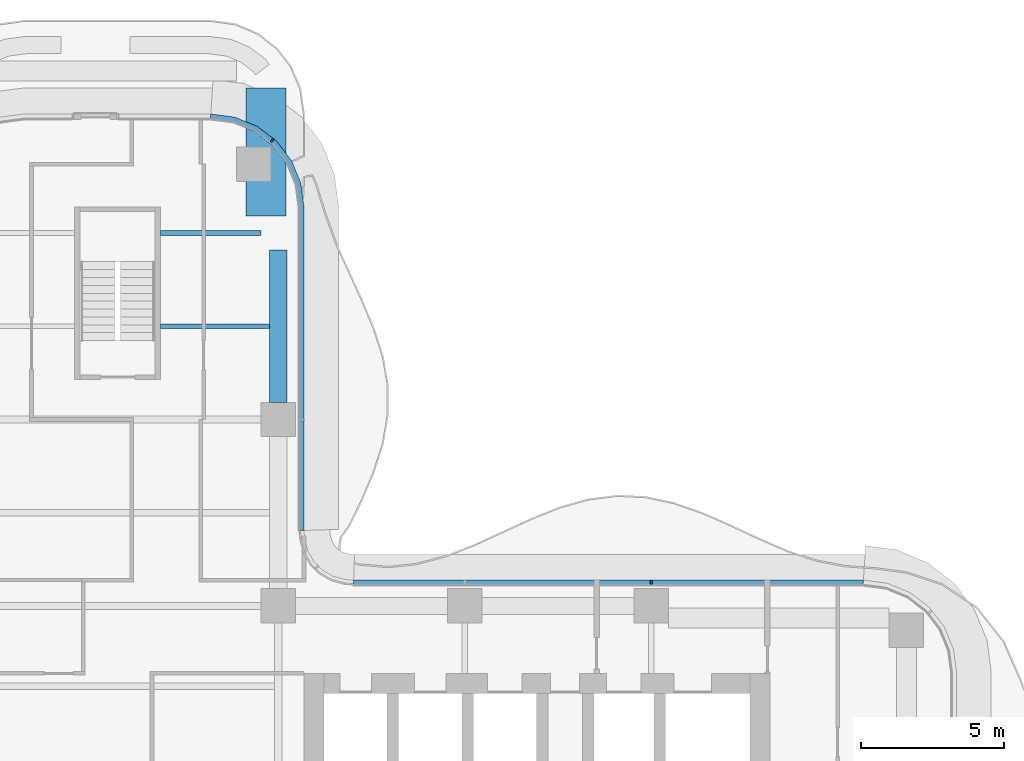
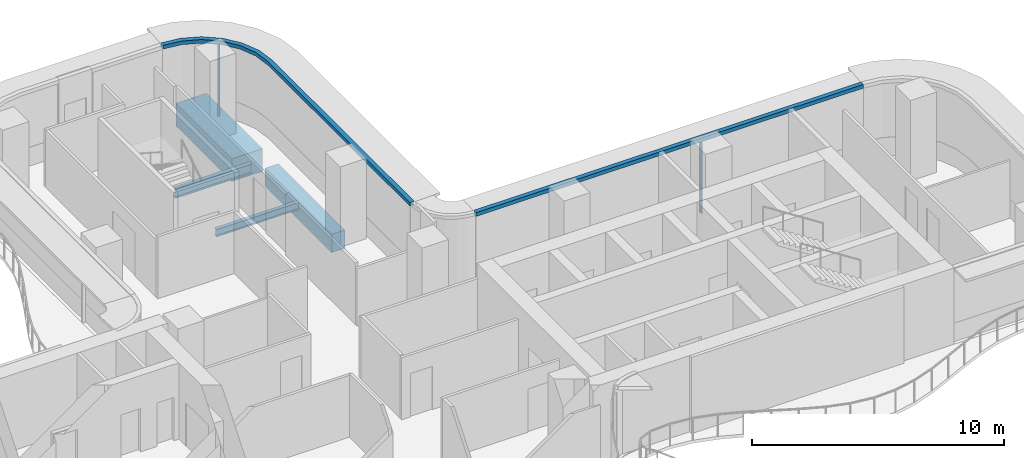
# One storey, part 8 of 17: 4 beams, 4 members, 2 elements without a shape of their own.
"""IFC4 building model written with IfcOpenShell, lengths in metres."""

from ifc_helpers import new_model, si_unit, direction, frame, origin, origin_2d, place, context, subcontext, project, spatial, polyline, rectangle, i_section, outline, extrude, source, transform, mapped, material, layer, layer_set, material_profile, profile_set, type_object, element, aggregate, save


model = new_model("IFC4")

# Units and contexts
model_context = context("Model", 3, precision=1e-05, world=origin(), true_north=direction((0.0, 1.0)))
body_context = subcontext(model_context, "Body", "Model", "MODEL_VIEW")
ifc_project = project(units=[si_unit("LENGTHUNIT", "METRE"), si_unit("AREAUNIT", "SQUARE_METRE"), si_unit("VOLUMEUNIT", "CUBIC_METRE"), si_unit("PLANEANGLEUNIT", "RADIAN"), si_unit("MASSUNIT", "GRAM", prefix="KILO")], contexts=[model_context])

# Site, building, storey
site_placement = place(None, origin())
site = spatial("IfcSite", under=ifc_project, at=site_placement, CompositionType="ELEMENT")
building_placement = place(site_placement, origin())
building = spatial("IfcBuilding", under=site, at=building_placement, Name="Trellis Farm Tower", CompositionType="ELEMENT")
storey_placement = place(building_placement, frame((0.0, 0.0, 185.39990234375)))
storey = spatial("IfcBuildingStorey", under=building, at=storey_placement, Name="L40", CompositionType="ELEMENT", Elevation=185.39990234375)

# Beams
ifc_material_1 = material(Name="Steel S355", Category="steel")
ifc_material_profile_1 = material_profile(ifc_material_1, i_section(OverallWidth=0.1904296875, OverallDepth=0.45703125, WebThickness=0.009033203125, FlangeThickness=0.014404296875, FilletRadius=0.01025390625, at=origin_2d()), Name="UB 457x191x74")
ifc_profile_set_1 = profile_set([ifc_material_profile_1], Name="Steel S355")
beam_type_1 = type_object("IfcBeamType", Name="UB 457x191x74", PredefinedType="BEAM", material=ifc_profile_set_1)
shared_shape_1 = source(origin(), body_context, "Body", "SweptSolid", [
    extrude(i_section(OverallWidth=0.1904296875, OverallDepth=0.45703125, WebThickness=0.009033203125, FlangeThickness=0.014404296875, FilletRadius=0.01025390625, at=origin_2d()), origin(), (0.0, 0.0, 1.0), 3.5),
])
beam_1_placement = place(storey_placement, frame((1.5, 18.60009765625, -0.428466796875), z_axis=(1.0, 0.0, 0.0), x_axis=(0.0, 1.0, 0.0)))
element("IfcBeam", 1, at=beam_1_placement, inside=storey, type_object=beam_type_1, Name="Girder", PredefinedType="BEAM", context=body_context, shape_type="MappedRepresentation", body=[
    mapped(shared_shape_1, transform((0.0, 0.0, 0.0))),
])
ifc_material_2 = material(Name="Concrete C60/75", Category="concrete")
ifc_material_profile_2 = material_profile(ifc_material_2, rectangle(XDim=0.60009765625, YDim=0.89990234375, at=origin_2d()), Name="RC spandrel beam 600x900 C60/75")
ifc_profile_set_2 = profile_set([ifc_material_profile_2], Name="Concrete C60/75")
beam_type_2 = type_object("IfcBeamType", Name="RC spandrel beam 600x900 C60/75", PredefinedType="SPANDREL", material=ifc_profile_set_2)
shared_shape_2 = source(origin(), body_context, "Body", "SweptSolid", [
    extrude(rectangle(XDim=0.60009765625, YDim=0.89990234375, at=origin_2d()), origin(), (0.0, 0.0, 1.0), 5.300048828125),
])
beam_2_placement = place(storey_placement, frame((5.60009765625, 12.699951171875, -0.64990234375), z_axis=(0.0, 1.0, 0.0), x_axis=(-1.0, 0.0, 0.0)))
element("IfcBeam", 2, at=beam_2_placement, inside=storey, type_object=beam_type_2, Name="Girder", PredefinedType="SPANDREL", context=body_context, shape_type="MappedRepresentation", body=[
    mapped(shared_shape_2, transform((0.0, 0.0, 0.0))),
])
ifc_material_3 = material(Name="Concrete C80/95", Category="concrete")
ifc_material_profile_3 = material_profile(ifc_material_3, rectangle(XDim=1.39990234375, YDim=1.10009765625, at=origin_2d()), Name="RC transfer beam 1400x1100 C80/95")
ifc_profile_set_3 = profile_set([ifc_material_profile_3], Name="Concrete C80/95")
beam_type_3 = type_object("IfcBeamType", Name="RC transfer beam 1400x1100 C80/95", PredefinedType="BEAM", material=ifc_profile_set_3)
shared_shape_3 = source(origin(), body_context, "Body", "SweptSolid", [
    extrude(rectangle(XDim=1.39990234375, YDim=1.10009765625, at=origin_2d()), origin(), (0.0, 0.0, 1.0), 4.449951171875),
])
beam_3_placement = place(storey_placement, frame((5.175048828125, 19.199951171875, -0.75), z_axis=(0.0, 1.0, 0.0), x_axis=(-1.0, 0.0, 0.0)))
element("IfcBeam", 3, at=beam_3_placement, inside=storey, type_object=beam_type_3, Name="Transfer girder", PredefinedType="BEAM", context=body_context, shape_type="MappedRepresentation", body=[
    mapped(shared_shape_3, transform((0.0, 0.0, 0.0))),
])
ifc_material_profile_4 = material_profile(ifc_material_1, i_section(OverallWidth=0.17138671875, OverallDepth=0.35498046875, WebThickness=0.00732421875, FlangeThickness=0.011474609375, FilletRadius=0.01025390625, at=origin_2d()), Name="UB 356x171x51")
ifc_profile_set_4 = profile_set([ifc_material_profile_4], Name="Steel S355")
beam_type_4 = type_object("IfcBeamType", Name="UB 356x171x51 joist", PredefinedType="JOIST", material=ifc_profile_set_4)
shared_shape_4 = source(origin(), body_context, "Body", "SweptSolid", [
    extrude(i_section(OverallWidth=0.17138671875, OverallDepth=0.35498046875, WebThickness=0.00732421875, FlangeThickness=0.011474609375, FilletRadius=0.01025390625, at=origin_2d()), origin(), (0.0, 0.0, 1.0), 3.800048828125),
])
beam_4_placement = place(storey_placement, frame((1.5, 15.35009765625, -0.37744140625), z_axis=(1.0, 0.0, 0.0), x_axis=(0.0, 1.0, 0.0)))
element("IfcBeam", 4, at=beam_4_placement, inside=storey, type_object=beam_type_4, Name="Floor beam", PredefinedType="JOIST", context=body_context, shape_type="MappedRepresentation", body=[
    mapped(shared_shape_4, transform((0.0, 0.0, 0.0))),
])

# Curtain wall, member
ifc_material_4 = material(Name="Aluminium and glass curtain wall", Category="aluminium")
ifc_layer_1 = layer(ifc_material_4, 0.18994140625)
ifc_layer_set_1 = layer_set([ifc_layer_1], Name="RIBBON CURTAIN WALL CW1")
curtain_wall_type = type_object("IfcCurtainWallType", Name="RIBBON CURTAIN WALL CW1", PredefinedType="NOTDEFINED", material=ifc_layer_set_1)
placement_1 = place(storey_placement, origin())
curtain_wall_1 = element("IfcCurtainWall", 5, at=placement_1, inside=storey, type_object=curtain_wall_type, Name="CW1 008", PredefinedType="NOTDEFINED")
ifc_material_5 = material(Name="Aluminium extrusion 6063-T6", Category="aluminium")
ifc_material_profile_5 = material_profile(ifc_material_5, rectangle(XDim=0.06005859375, YDim=0.14990234375, at=origin_2d()), Name="MULLION 60x150")
ifc_profile_set_5 = profile_set([ifc_material_profile_5], Name="Aluminium extrusion 6063-T6")
member_type_1 = type_object("IfcMemberType", Name="CW1 MULLION 60x150", PredefinedType="MULLION", material=ifc_profile_set_5)
shared_shape_5 = source(origin(), body_context, "Body", "SweptSolid", [
    extrude(rectangle(XDim=0.06005859375, YDim=0.14990234375, at=origin_2d()), origin(), (0.0, 0.0, 1.0), 3.52001953125),
])
member_1_placement = place(storey_placement, frame((18.60009765625, 6.425048828125, 0.0), z_axis=(0.0, 0.0, 1.0), x_axis=(-1.0, 0.0, 0.0)))
member_1 = element("IfcMember", 6, at=member_1_placement, type_object=member_type_1, Name="MU1 008-01", PredefinedType="MULLION", context=body_context, shape_type="MappedRepresentation", body=[
    mapped(shared_shape_5, transform((0.0, 0.0, 0.0))),
])

curtain_wall_2 = element("IfcCurtainWall", 7, at=placement_1, inside=storey, type_object=curtain_wall_type, Name="CW1 009", PredefinedType="NOTDEFINED")
member_2_placement = place(storey_placement, frame((5.385498046875, 21.828369140625, 0.0), z_axis=(0.0, 0.0, 1.0), x_axis=(-0.793353340291, 0.608761429009, 0.0)))
member_2 = element("IfcMember", 8, at=member_2_placement, type_object=member_type_1, Name="MU1 009-02", PredefinedType="MULLION", context=body_context, shape_type="MappedRepresentation", body=[
    mapped(shared_shape_5, transform((0.0, 0.0, 0.0))),
])

# Member
ifc_layer_2 = layer(ifc_material_5, 0.199951171875)
ifc_layer_set_2 = layer_set([ifc_layer_2], Name="Aluminium extrusion 6063-T6")
member_type_2 = type_object("IfcMemberType", Name="CW1 TRANSOM 200x180", PredefinedType="USERDEFINED", material=ifc_layer_set_2)
shared_shape_6 = source(origin(), body_context, "Body", "SweptSolid", [
    extrude(outline(polyline([(26.0, 6.5), (8.2314453125, 6.5), (8.224853515625, 6.300048828125), (25.98681640625, 6.300048828125), (26.0, 6.5)])), origin(), (0.0, 0.0, 1.0), 0.18017578125),
])
placement_2 = place(storey_placement, frame((0.0, 0.0, 3.52001953125)))
member_3 = element("IfcMember", 9, at=placement_2, type_object=member_type_2, Name="TR1 008", ObjectType="TRANSOM", PredefinedType="USERDEFINED", context=body_context, shape_type="MappedRepresentation", body=[
    mapped(shared_shape_6, transform((0.0, 0.0, 0.0))),
])

aggregate(curtain_wall_1, [member_1, member_3])

shared_shape_7 = source(origin(), body_context, "Body", "SweptSolid", [
    extrude(outline(polyline([(6.5, 8.2314453125), (6.5, 19.5), (6.38916015625, 20.341064453125), (6.064697265625, 21.125), (5.548095703125, 21.798095703125), (4.875, 22.314697265625), (4.091064453125, 22.63916015625), (3.25, 22.75), (3.23681640625, 22.550048828125), (4.0390625, 22.4443359375), (4.774169921875, 22.139892578125), (5.405517578125, 21.655517578125), (5.889892578125, 21.024169921875), (6.1943359375, 20.2890625), (6.300048828125, 19.48681640625), (6.300048828125, 8.224853515625), (6.5, 8.2314453125)])), origin(), (0.0, 0.0, 1.0), 0.18017578125),
])
member_4 = element("IfcMember", 10, at=placement_2, type_object=member_type_2, Name="TR1 009", ObjectType="TRANSOM", PredefinedType="USERDEFINED", context=body_context, shape_type="MappedRepresentation", body=[
    mapped(shared_shape_7, transform((0.0, 0.0, 0.0))),
])

aggregate(curtain_wall_2, [member_2, member_4])

save(model, "model.ifc")
